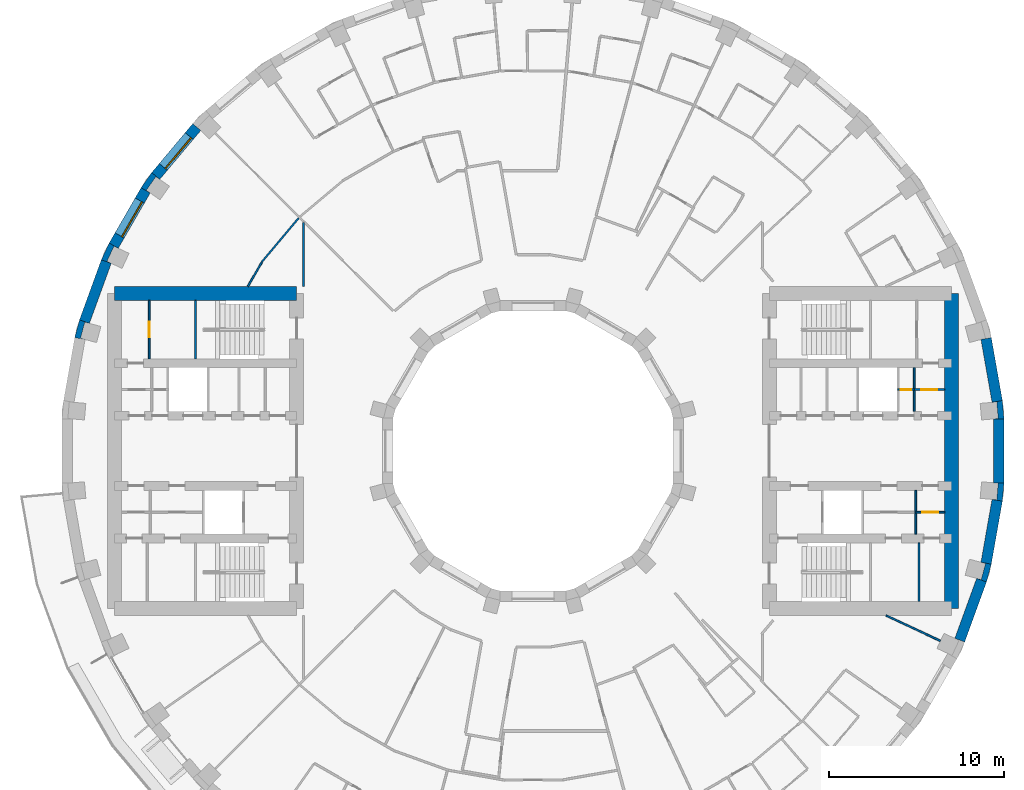
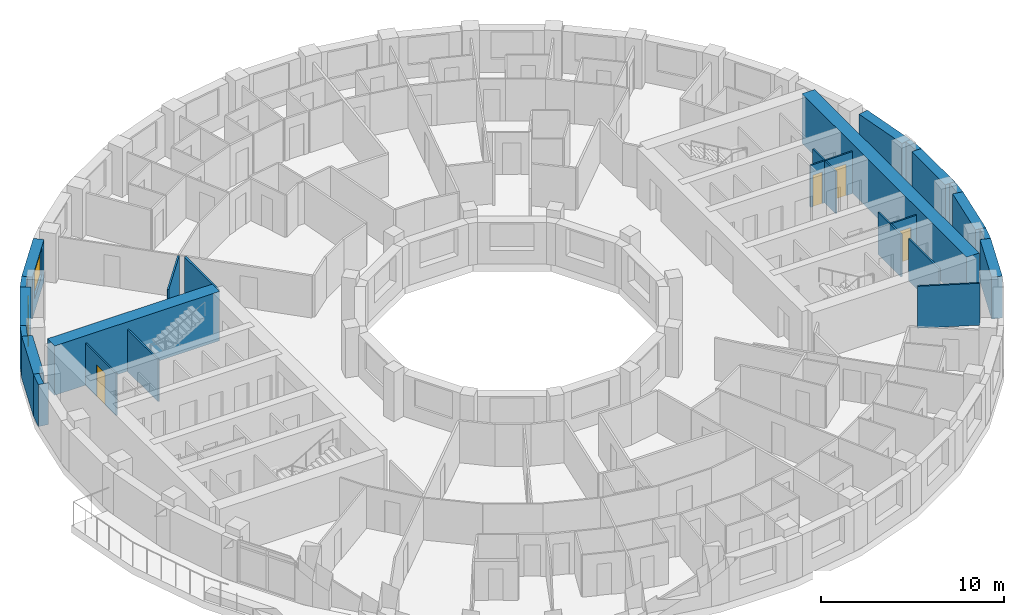
# One storey, part 10 of 16: 27 walls, 4 doors, 2 windows, 6 openings.
"""IFC4 building model written with IfcOpenShell, lengths in metres."""

from ifc_helpers import new_model, si_unit, direction, frame, frame_2d, origin, place, context, subcontext, project, spatial, polyline, rectangle, outline, extrude, material, layer, layer_set, type_object, element, fill, save


model = new_model("IFC4")

# Units and contexts
model_context = context("Model", 3, precision=1e-05, world=origin(), true_north=direction((0.0, 1.0)))
body_context = subcontext(model_context, "Body", "Model", "MODEL_VIEW")
ifc_project = project(units=[si_unit("LENGTHUNIT", "METRE"), si_unit("AREAUNIT", "SQUARE_METRE"), si_unit("VOLUMEUNIT", "CUBIC_METRE"), si_unit("PLANEANGLEUNIT", "RADIAN"), si_unit("MASSUNIT", "GRAM", prefix="KILO")], contexts=[model_context])

# Site, building, storey
site_placement = place(None, origin())
site = spatial("IfcSite", under=ifc_project, at=site_placement, CompositionType="ELEMENT")
building_placement = place(site_placement, origin())
building = spatial("IfcBuilding", under=site, at=building_placement, Name="Saqina Gate Tower", CompositionType="ELEMENT")
storey_placement = place(building_placement, frame((0.0, 0.0, 121.60009765625)))
storey = spatial("IfcBuildingStorey", under=building, at=storey_placement, Name="L34", CompositionType="ELEMENT", Elevation=121.60009765625)

# Walls
ifc_material_1 = material(Name="Brick masonry (buff)", Category="masonry")
wall_type_1 = type_object("IfcWallType", Name="BRICK PIER COPING BUFF", PredefinedType="SOLIDWALL", material=ifc_material_1)
wall_1_placement = place(storey_placement, origin())
element("IfcWall", 1, at=wall_1_placement, inside=storey, type_object=wall_type_1, Name="Pier cap L34 column 1", PredefinedType="SOLIDWALL", context=body_context, shape_type="SweptSolid", body=[
    extrude(outline(polyline([(26.805419921875, 2.87451171875), (26.214599609375, 2.770263671875), (26.482421875, 2.793701171875), (26.565185546875, 1.847412109375), (26.29736328125, 1.823974609375), (26.897216796875, 1.823974609375), (26.805419921875, 2.87451171875)])), origin(), (0.0, 0.0, 1.0), 2.7998046875),
])
wall_2_placement = place(storey_placement, origin())
element("IfcWall", 2, at=wall_2_placement, inside=storey, type_object=wall_type_1, Name="Pier cap L34 column 15", PredefinedType="SOLIDWALL", context=body_context, shape_type="SweptSolid", body=[
    extrude(outline(polyline([(-22.3818359375, 15.0283203125), (-21.862060546875, 14.728271484375), (-22.08251953125, 14.88232421875), (-21.53759765625, 15.66064453125), (-21.317138671875, 15.50634765625), (-21.77685546875, 15.89208984375), (-22.3818359375, 15.0283203125)])), origin(), (0.0, 0.0, 1.0), 2.7998046875),
])
wall_3_placement = place(storey_placement, origin())
element("IfcWall", 3, at=wall_3_placement, inside=storey, type_object=wall_type_1, Name="Pier cap L34 column 16", PredefinedType="SOLIDWALL", context=body_context, shape_type="SweptSolid", body=[
    extrude(outline(polyline([(-24.6513671875, 10.913330078125), (-24.08740234375, 10.7080078125), (-24.331298828125, 10.82177734375), (-23.9296875, 11.6826171875), (-23.68603515625, 11.569091796875), (-24.205810546875, 11.869140625), (-24.6513671875, 10.913330078125)])), origin(), (0.0, 0.0, 1.0), 2.7998046875),
])
wall_4_placement = place(storey_placement, origin())
element("IfcWall", 4, at=wall_4_placement, inside=storey, type_object=wall_type_1, Name="Pier cap L34 column 17", PredefinedType="SOLIDWALL", context=body_context, shape_type="SweptSolid", body=[
    extrude(outline(polyline([(-25.89892578125, 7.485595703125), (-26.171875, 6.466796875), (-25.5810546875, 6.36279296875), (-25.8408203125, 6.43212890625), (-25.5947265625, 7.349853515625), (-25.335205078125, 7.2802734375), (-25.89892578125, 7.485595703125)])), origin(), (0.0, 0.0, 1.0), 2.7998046875),
])
wall_5_placement = place(storey_placement, origin())
element("IfcWall", 5, at=wall_5_placement, inside=storey, type_object=wall_type_1, Name="Pier cap L34 column 35", PredefinedType="SOLIDWALL", context=body_context, shape_type="SweptSolid", body=[
    extrude(outline(polyline([(25.89892578125, -7.485595703125), (26.171875, -6.466796875), (25.5810546875, -6.36279296875), (25.8408203125, -6.43212890625), (25.5947265625, -7.349853515625), (25.335205078125, -7.2802734375), (25.89892578125, -7.485595703125)])), origin(), (0.0, 0.0, 1.0), 2.7998046875),
])
wall_6_placement = place(storey_placement, origin())
element("IfcWall", 6, at=wall_6_placement, inside=storey, type_object=wall_type_1, Name="Pier cap L34 column 36", PredefinedType="SOLIDWALL", context=body_context, shape_type="SweptSolid", body=[
    extrude(outline(polyline([(26.805419921875, -2.87451171875), (26.897216796875, -1.823974609375), (26.29736328125, -1.823974609375), (26.565185546875, -1.847412109375), (26.482421875, -2.793701171875), (26.214599609375, -2.770263671875), (26.805419921875, -2.87451171875)])), origin(), (0.0, 0.0, 1.0), 2.7998046875),
])
ifc_material_2 = material(Name="Gypsum board on steel studs", Category="steel")
ifc_layer_1 = layer(ifc_material_2, 0.10009765625)
ifc_layer_set_1 = layer_set([ifc_layer_1], Name="CORE PARTITION")
wall_type_2 = type_object("IfcWallType", Name="CORE PARTITION", PredefinedType="PARTITIONING", material=ifc_layer_set_1)
for number, where, z_axis, x_axis, name in (
    (7, (21.77099609375, 2.25, 0.0), (0.0, 0.0, 1.0), (0.0, 1.0, 0.0), "L34-CP-E05"),
    (8, (21.8583984375, -4.75, 0.0), (0.0, 0.0, 1.0), (0.0, 1.0, 0.0), "L34-CP-E08"),
):
    element("IfcWall", number, at=place(storey_placement, frame(where, z_axis=z_axis, x_axis=x_axis)), inside=storey, type_object=wall_type_2, Name=name, PredefinedType="PARTITIONING", context=body_context, shape_type="SweptSolid", body=[
        extrude(rectangle(XDim=2.5, YDim=0.10009765625, at=frame_2d((1.25, 0.0))), origin(), (0.0, 0.0, 1.0), 2.7998046875),
    ])

# Wall, opening, door
wall_7_placement = place(storey_placement, frame((20.840087890625, 3.5, 0.0), z_axis=(0.0, 0.0, 1.0), x_axis=(1.0, 0.0, 0.0)))
wall_7 = element("IfcWall", 9, at=wall_7_placement, inside=storey, type_object=wall_type_2, Name="L34-CP-E09", PredefinedType="PARTITIONING", context=body_context, shape_type="SweptSolid", body=[
    extrude(rectangle(XDim=0.930908203125, YDim=0.10009765625, at=frame_2d((0.46533203125, 0.0))), origin(), (0.0, 0.0, 1.0), 2.7998046875),
])
opening_1_placement = place(wall_7_placement, frame((0.14990234375, 0.0, 0.0)))
opening_1 = element("IfcOpeningElement", 10, at=opening_1_placement, cuts=wall_7, Name="Opening G10-D98", PredefinedType="OPENING", context=body_context, shape_type="SweptSolid", body=[
    extrude(rectangle(XDim=0.60009765625, YDim=2.10009765625, at=frame_2d((0.300048828125, 1.050048828125))), frame((0.0, 0.06201171875, 0.0), z_axis=(0.0, -1.0, 0.0), x_axis=(1.0, 0.0, 0.0)), (0.0, 0.0, 1.0), 0.1240234375),
])
ifc_material_3 = material(Name="Steel-framed fire door leaf, EI 60", Category="steel")
door_type_1 = type_object("IfcDoorType", Name="SERVICE ROOM DOOR 600", OperationType="SINGLE_SWING_LEFT", PredefinedType="DOOR", material=ifc_material_3)
door_1_placement = place(opening_1_placement, origin())
door_1 = element("IfcDoor", 11, at=door_1_placement, inside=storey, type_object=door_type_1, Name="L34-CD-E09", OperationType="SINGLE_SWING_LEFT", OverallHeight=2.10009765625, OverallWidth=0.60009765625, PredefinedType="DOOR", context=body_context, shape_type="SweptSolid", body=[
    extrude(rectangle(XDim=0.60009765625, YDim=2.10009765625, at=frame_2d((0.300048828125, 1.050048828125))), frame((0.0, 0.02490234375, 0.0), z_axis=(0.0, -1.0, 0.0), x_axis=(1.0, 0.0, 0.0)), (0.0, 0.0, 1.0), 0.050048828125),
])
fill(opening_1, door_1)

wall_8_placement = place(storey_placement, frame((21.77099609375, 3.5, 0.0), z_axis=(0.0, 0.0, 1.0), x_axis=(1.0, 0.0, 0.0)))
wall_8 = element("IfcWall", 12, at=wall_8_placement, inside=storey, type_object=wall_type_2, Name="L34-CP-E10", PredefinedType="PARTITIONING", context=body_context, shape_type="SweptSolid", body=[
    extrude(rectangle(XDim=1.72900390625, YDim=0.10009765625, at=frame_2d((0.864501953125, 0.0))), origin(), (0.0, 0.0, 1.0), 2.7998046875),
])
opening_2_placement = place(wall_8_placement, frame((0.41455078125, 0.0, 0.0)))
opening_2 = element("IfcOpeningElement", 13, at=opening_2_placement, cuts=wall_8, Name="Opening G10-D99", PredefinedType="OPENING", context=body_context, shape_type="SweptSolid", body=[
    extrude(rectangle(XDim=0.89990234375, YDim=2.10009765625, at=frame_2d((0.449951171875, 1.050048828125))), frame((0.0, 0.06201171875, 0.0), z_axis=(0.0, -1.0, 0.0), x_axis=(1.0, 0.0, 0.0)), (0.0, 0.0, 1.0), 0.1240234375),
])
ifc_material_4 = material(Name="Steel-framed fire door leaf, EI 60", Category="steel")
door_type_2 = type_object("IfcDoorType", Name="SERVICE ROOM DOOR 900", OperationType="SINGLE_SWING_LEFT", PredefinedType="DOOR", material=ifc_material_4)
door_2_placement = place(opening_2_placement, origin())
door_2 = element("IfcDoor", 14, at=door_2_placement, inside=storey, type_object=door_type_2, Name="L34-CD-E10", OperationType="SINGLE_SWING_RIGHT", OverallHeight=2.10009765625, OverallWidth=0.89990234375, PredefinedType="DOOR", context=body_context, shape_type="SweptSolid", body=[
    extrude(rectangle(XDim=0.89990234375, YDim=2.10009765625, at=frame_2d((0.449951171875, 1.050048828125))), frame((0.0, 0.02490234375, 0.0), z_axis=(0.0, -1.0, 0.0), x_axis=(1.0, 0.0, 0.0)), (0.0, 0.0, 1.0), 0.050048828125),
])
fill(opening_2, door_2)

wall_9_placement = place(storey_placement, frame((21.8583984375, -3.5, 0.0), z_axis=(0.0, 0.0, 1.0), x_axis=(1.0, 0.0, 0.0)))
wall_9 = element("IfcWall", 15, at=wall_9_placement, inside=storey, type_object=wall_type_2, Name="L34-CP-E12", PredefinedType="PARTITIONING", context=body_context, shape_type="SweptSolid", body=[
    extrude(rectangle(XDim=1.6416015625, YDim=0.10009765625, at=frame_2d((0.82080078125, 0.0))), origin(), (0.0, 0.0, 1.0), 2.7998046875),
])
opening_3_placement = place(wall_9_placement, frame((0.370849609375, 0.0, 0.0)))
opening_3 = element("IfcOpeningElement", 16, at=opening_3_placement, cuts=wall_9, Name="Opening G10-D102", PredefinedType="OPENING", context=body_context, shape_type="SweptSolid", body=[
    extrude(rectangle(XDim=0.89990234375, YDim=2.10009765625, at=frame_2d((0.449951171875, 1.050048828125))), frame((0.0, 0.06201171875, 0.0), z_axis=(0.0, -1.0, 0.0), x_axis=(1.0, 0.0, 0.0)), (0.0, 0.0, 1.0), 0.1240234375),
])
door_3_placement = place(opening_3_placement, frame((0.89990234375, 0.0, 0.0), z_axis=(0.0, 0.0, 1.0), x_axis=(-1.0, 0.0, 0.0)))
door_3 = element("IfcDoor", 17, at=door_3_placement, inside=storey, type_object=door_type_2, Name="L34-CD-E13", OperationType="SINGLE_SWING_LEFT", OverallHeight=2.10009765625, OverallWidth=0.89990234375, PredefinedType="DOOR", context=body_context, shape_type="SweptSolid", body=[
    extrude(rectangle(XDim=0.89990234375, YDim=2.10009765625, at=frame_2d((0.449951171875, 1.050048828125))), frame((0.0, 0.02490234375, 0.0), z_axis=(0.0, -1.0, 0.0), x_axis=(1.0, 0.0, 0.0)), (0.0, 0.0, 1.0), 0.050048828125),
])
fill(opening_3, door_3)

# Wall
wall_10_placement = place(storey_placement, frame((22.037109375, -8.60009765625, 0.0), z_axis=(0.0, 0.0, 1.0), x_axis=(0.0, 1.0, 0.0)))
element("IfcWall", 18, at=wall_10_placement, inside=storey, type_object=wall_type_2, Name="L34-CP-E16", PredefinedType="PARTITIONING", context=body_context, shape_type="SweptSolid", body=[
    extrude(rectangle(XDim=3.35009765625, YDim=0.10009765625, at=frame_2d((1.675048828125, 0.0))), origin(), (0.0, 0.0, 1.0), 2.7998046875),
])

# Wall, opening, door
wall_11_placement = place(storey_placement, frame((-21.91162109375, 5.25, 0.0), z_axis=(0.0, 0.0, 1.0), x_axis=(0.0, 1.0, 0.0)))
wall_11 = element("IfcWall", 19, at=wall_11_placement, inside=storey, type_object=wall_type_2, Name="L34-CP-W14", PredefinedType="PARTITIONING", context=body_context, shape_type="SweptSolid", body=[
    extrude(rectangle(XDim=3.35009765625, YDim=0.10009765625, at=frame_2d((1.675048828125, 0.0))), origin(), (0.0, 0.0, 1.0), 2.7998046875),
])
opening_4_placement = place(wall_11_placement, frame((1.22509765625, 0.0, 0.0)))
opening_4 = element("IfcOpeningElement", 20, at=opening_4_placement, cuts=wall_11, Name="Opening G10-D120", PredefinedType="OPENING", context=body_context, shape_type="SweptSolid", body=[
    extrude(rectangle(XDim=0.89990234375, YDim=2.10009765625, at=frame_2d((0.449951171875, 1.050048828125))), frame((0.0, 0.06201171875, 0.0), z_axis=(0.0, -1.0, 0.0), x_axis=(1.0, 0.0, 0.0)), (0.0, 0.0, 1.0), 0.1240234375),
])
door_4_placement = place(opening_4_placement, frame((0.89990234375, 0.0, 0.0), z_axis=(0.0, 0.0, 1.0), x_axis=(-1.0, 0.0, 0.0)))
door_4 = element("IfcDoor", 21, at=door_4_placement, inside=storey, type_object=door_type_2, Name="L34-CD-W31", OperationType="SINGLE_SWING_LEFT", OverallHeight=2.10009765625, OverallWidth=0.89990234375, PredefinedType="DOOR", context=body_context, shape_type="SweptSolid", body=[
    extrude(rectangle(XDim=0.89990234375, YDim=2.10009765625, at=frame_2d((0.449951171875, 1.050048828125))), frame((0.0, 0.02490234375, 0.0), z_axis=(0.0, -1.0, 0.0), x_axis=(1.0, 0.0, 0.0)), (0.0, 0.0, 1.0), 0.050048828125),
])
fill(opening_4, door_4)

# Wall, opening, window
ifc_material_5 = material(Name="Brick masonry (buff)", Category="masonry")
ifc_layer_2 = layer(ifc_material_5, 0.60009765625)
ifc_layer_set_2 = layer_set([ifc_layer_2], Name="FW-BRICK-BUFF")
wall_type_3 = type_object("IfcWallType", Name="FW-BRICK-BUFF", PredefinedType="SOLIDWALL", material=ifc_layer_set_2)
wall_12_placement = place(storey_placement, frame((-19.202392578125, 18.49365234375, 0.0), z_axis=(0.0, 0.0, 1.0), x_axis=(-0.642774476932, -0.766055462616, 0.0)))
wall_12 = element("IfcWall", 22, at=wall_12_placement, inside=storey, type_object=wall_type_3, Name="Facade wall L34 facet 14", PredefinedType="SOLIDWALL", context=body_context, shape_type="SweptSolid", body=[
    extrude(rectangle(XDim=3.647705078125, YDim=0.60009765625, at=frame_2d((1.82373046875, 0.0))), origin(), (0.0, 0.0, 1.0), 2.7998046875),
])
opening_5_placement = place(wall_12_placement, frame((0.673828125, 0.0, 0.89990234375)))
opening_5 = element("IfcOpeningElement", 23, at=opening_5_placement, cuts=wall_12, Name="Opening G10-W12", PredefinedType="OPENING", context=body_context, shape_type="SweptSolid", body=[
    extrude(rectangle(XDim=2.300048828125, YDim=1.800048828125, at=frame_2d((1.14990234375, 0.89990234375))), frame((0.0, 0.31201171875, 0.0), z_axis=(0.0, -1.0, 0.0), x_axis=(1.0, 0.0, 0.0)), (0.0, 0.0, 1.0), 0.6240234375),
])
ifc_material_6 = material(Name="Aluminium glazing", Category="aluminium")
window_type = type_object("IfcWindowType", Name="WN-B", PartitioningType="SINGLE_PANEL", PredefinedType="WINDOW", material=ifc_material_6)
window_1_placement = place(opening_5_placement, origin())
window_1 = element("IfcWindow", 24, at=window_1_placement, inside=storey, type_object=window_type, Name="Window L34 facet 14", OverallHeight=1.800048828125, OverallWidth=2.300048828125, PartitioningType="SINGLE_PANEL", PredefinedType="WINDOW", context=body_context, shape_type="SweptSolid", body=[
    extrude(rectangle(XDim=2.300048828125, YDim=1.800048828125, at=frame_2d((1.14990234375, 0.89990234375))), frame((0.0, 0.179931640625, 0.0), z_axis=(0.0, -1.0, 0.0), x_axis=(1.0, 0.0, 0.0)), (0.0, 0.0, 1.0), 0.06005859375),
])
fill(opening_5, window_1)

wall_13_placement = place(storey_placement, frame((-22.1220703125, 14.878173828125, 0.0), z_axis=(0.0, 0.0, 1.0), x_axis=(-0.499954196102, -0.866051847062, 0.0)))
wall_13 = element("IfcWall", 25, at=wall_13_placement, inside=storey, type_object=wall_type_3, Name="Facade wall L34 facet 15", PredefinedType="SOLIDWALL", context=body_context, shape_type="SweptSolid", body=[
    extrude(rectangle(XDim=3.647705078125, YDim=0.60009765625, at=frame_2d((1.82373046875, 0.0))), origin(), (0.0, 0.0, 1.0), 2.7998046875),
])
opening_6_placement = place(wall_13_placement, frame((0.673828125, 0.0, 0.89990234375)))
opening_6 = element("IfcOpeningElement", 26, at=opening_6_placement, cuts=wall_13, Name="Opening G10-W13", PredefinedType="OPENING", context=body_context, shape_type="SweptSolid", body=[
    extrude(rectangle(XDim=2.300048828125, YDim=1.800048828125, at=frame_2d((1.14990234375, 0.89990234375))), frame((0.0, 0.31201171875, 0.0), z_axis=(0.0, -1.0, 0.0), x_axis=(1.0, 0.0, 0.0)), (0.0, 0.0, 1.0), 0.6240234375),
])
window_2_placement = place(opening_6_placement, origin())
window_2 = element("IfcWindow", 27, at=window_2_placement, inside=storey, type_object=window_type, Name="Window L34 facet 15", OverallHeight=1.800048828125, OverallWidth=2.300048828125, PartitioningType="SINGLE_PANEL", PredefinedType="WINDOW", context=body_context, shape_type="SweptSolid", body=[
    extrude(rectangle(XDim=2.300048828125, YDim=1.800048828125, at=frame_2d((1.14990234375, 0.89990234375))), frame((0.0, 0.179931640625, 0.0), z_axis=(0.0, -1.0, 0.0), x_axis=(1.0, 0.0, 0.0)), (0.0, 0.0, 1.0), 0.06005859375),
])
fill(opening_6, window_2)

# Walls
ifc_material_7 = material(Name="Glazed ceramic tile", Category="ceramic")
ifc_layer_3 = layer(ifc_material_7, 0.60009765625)
ifc_layer_set_3 = layer_set([ifc_layer_3], Name="FW-TILE")
wall_type_4 = type_object("IfcWallType", Name="FW-TILE", PredefinedType="SOLIDWALL", material=ifc_layer_set_3)
for number, where, z_axis, x_axis, name in (
    (28, (26.510009765625, 2.822265625, 0.0), (0.0, 0.0, 1.0), (-0.173670796382, 0.984803764455, 0.0), "Facade wall L34 facet 1"),
    (29, (25.87646484375, -6.414794921875, 0.0), (0.0, 0.0, 1.0), (0.173670796382, 0.984803764455, 0.0), "Facade wall L34 facet 35"),
):
    element("IfcWall", number, at=place(storey_placement, frame(where, z_axis=z_axis, x_axis=x_axis)), inside=storey, type_object=wall_type_4, Name=name, PredefinedType="SOLIDWALL", context=body_context, shape_type="SweptSolid", body=[
        extrude(rectangle(XDim=3.64794921875, YDim=0.60009765625, at=frame_2d((1.823974609375, 0.0))), origin(), (0.0, 0.0, 1.0), 2.7998046875),
    ])
ifc_material_8 = material(Name="Glazed ceramic tile (dark blue)", Category="ceramic")
ifc_layer_4 = layer(ifc_material_8, 0.60009765625)
ifc_layer_set_4 = layer_set([ifc_layer_4], Name="FW-TILE-CB")
wall_type_5 = type_object("IfcWallType", Name="FW-TILE-CB", PredefinedType="SOLIDWALL", material=ifc_layer_set_4)
for number, where, z_axis, x_axis, name in (
    (30, (-24.369384765625, 10.810791015625, 0.0), (0.0, 0.0, 1.0), (-0.341990236633, -0.939703505393, 0.0), "Facade wall L34 facet 16"),
    (31, (26.59716796875, -1.823974609375, 0.0), (0.0, 0.0, 1.0), (0.0, 1.0, 0.0), "Facade wall L34 facet 36"),
):
    element("IfcWall", number, at=place(storey_placement, frame(where, z_axis=z_axis, x_axis=x_axis)), inside=storey, type_object=wall_type_5, Name=name, PredefinedType="SOLIDWALL", context=body_context, shape_type="SweptSolid", body=[
        extrude(rectangle(XDim=3.64794921875, YDim=0.60009765625, at=frame_2d((1.823974609375, 0.0))), origin(), (0.0, 0.0, 1.0), 2.7998046875),
    ])
ifc_material_9 = material(Name="Glazed ceramic tile (white)", Category="ceramic")
ifc_layer_5 = layer(ifc_material_9, 0.60009765625)
ifc_layer_set_5 = layer_set([ifc_layer_5], Name="FW-TILE-WH")
wall_type_6 = type_object("IfcWallType", Name="FW-TILE-WH", PredefinedType="SOLIDWALL", material=ifc_layer_set_5)
wall_14_placement = place(storey_placement, frame((24.369384765625, -10.810791015625, 0.0), z_axis=(0.0, 0.0, 1.0), x_axis=(0.341990236633, 0.939703505393, 0.0)))
element("IfcWall", 32, at=wall_14_placement, inside=storey, type_object=wall_type_6, Name="Facade wall L34 facet 34", PredefinedType="SOLIDWALL", context=body_context, shape_type="SweptSolid", body=[
    extrude(rectangle(XDim=3.64794921875, YDim=0.60009765625, at=frame_2d((1.823974609375, 0.0))), origin(), (0.0, 0.0, 1.0), 2.7998046875),
])
ifc_material_10 = material(Name="Gypsum board on steel studs, 100 mm", Category="steel")
ifc_layer_6 = layer(ifc_material_10, 0.10009765625)
ifc_layer_set_6 = layer_set([ifc_layer_6], Name="PARTITION 100")
wall_type_7 = type_object("IfcWallType", Name="PARTITION 100", PredefinedType="PARTITIONING", material=ifc_layer_set_6)
wall_15_placement = place(storey_placement, frame((20.159912109375, -9.39990234375, 0.0), z_axis=(0.0, 0.0, 1.0), x_axis=(0.906121146584, -0.423018282954, 0.0)))
element("IfcWall", 33, at=wall_15_placement, inside=storey, type_object=wall_type_7, Name="PARTITION PW3-39", PredefinedType="PARTITIONING", context=body_context, shape_type="SweptSolid", body=[
    extrude(rectangle(XDim=3.42138671875, YDim=0.10009765625, at=frame_2d((1.710693359375, 0.0))), origin(), (0.0, 0.0, 1.0), 2.7998046875),
])
wall_16_placement = place(storey_placement, frame((-15.49072265625, 10.78515625, 0.0), z_axis=(0.0, 0.0, 1.0), x_axis=(0.642706409745, 0.766112570627, 0.0)))
element("IfcWall", 34, at=wall_16_placement, inside=storey, type_object=wall_type_7, Name="PARTITION PW3-87", PredefinedType="PARTITIONING", context=body_context, shape_type="SweptSolid", body=[
    extrude(rectangle(XDim=3.2900390625, YDim=0.10009765625, at=frame_2d((1.64501953125, 0.0))), origin(), (0.0, 0.0, 1.0), 2.7998046875),
])
wall_17_placement = place(storey_placement, frame((-16.281005859375, 9.39794921875, 0.0), z_axis=(0.0, 0.0, 1.0), x_axis=(0.499872473806, 0.866099018549, 0.0)))
element("IfcWall", 35, at=wall_17_placement, inside=storey, type_object=wall_type_7, Name="PARTITION PW3-93", PredefinedType="PARTITIONING", context=body_context, shape_type="SweptSolid", body=[
    extrude(rectangle(XDim=1.5966796875, YDim=0.10009765625, at=frame_2d((0.79833984375, 0.0))), origin(), (0.0, 0.0, 1.0), 2.7998046875),
])
ifc_material_11 = material(Name="Gypsum board on steel studs, 125 mm, fire rated", Category="steel")
ifc_layer_7 = layer(ifc_material_11, 0.125)
ifc_layer_set_7 = layer_set([ifc_layer_7], Name="PARTITION EI 30 125")
wall_type_8 = type_object("IfcWallType", Name="PARTITION EI 30 125", PredefinedType="PARTITIONING", material=ifc_layer_set_7)
wall_18_placement = place(storey_placement, frame((-13.10009765625, 9.39990234375, 0.0), z_axis=(0.0, 0.0, 1.0), x_axis=(0.0, 1.0, 0.0)))
element("IfcWall", 36, at=wall_18_placement, inside=storey, type_object=wall_type_8, Name="PARTITION PW1-61", PredefinedType="PARTITIONING", context=body_context, shape_type="SweptSolid", body=[
    extrude(rectangle(XDim=3.6376953125, YDim=0.125, at=frame_2d((1.81884765625, 0.0))), origin(), (0.0, 0.0, 1.0), 2.7998046875),
])
ifc_material_12 = material(Name="Autoclaved aerated concrete block", Category="concrete")
ifc_layer_8 = layer(ifc_material_12, 0.10009765625)
ifc_layer_set_8 = layer_set([ifc_layer_8], Name="STAIR ENCLOSURE WALL")
wall_type_9 = type_object("IfcWallType", Name="STAIR ENCLOSURE WALL", PredefinedType="PARTITIONING", material=ifc_layer_set_8)
wall_19_placement = place(storey_placement, frame((-19.27001953125, 5.25, 0.0), z_axis=(0.0, 0.0, 1.0), x_axis=(0.0, 1.0, 0.0)))
element("IfcWall", 37, at=wall_19_placement, inside=storey, type_object=wall_type_9, Name="L34-CP-W13", PredefinedType="PARTITIONING", context=body_context, shape_type="SweptSolid", body=[
    extrude(rectangle(XDim=3.35009765625, YDim=0.10009765625, at=frame_2d((1.675048828125, 0.0))), origin(), (0.0, 0.0, 1.0), 2.7998046875),
])
ifc_material_13 = material(Name="Concrete C70/85", Category="concrete")
ifc_layer_9 = layer(ifc_material_13, 0.800048828125)
ifc_layer_set_9 = layer_set([ifc_layer_9], Name="Concrete C70/85")
wall_type_10 = type_object("IfcWallType", Name="STR-CORE WALL-B-O", PredefinedType="SHEAR", material=ifc_layer_set_9)
wall_20_placement = place(storey_placement, frame((23.89990234375, -9.0, 0.0), z_axis=(0.0, 0.0, 1.0), x_axis=(0.0, 1.0, 0.0)))
element("IfcWall", 38, at=wall_20_placement, inside=storey, type_object=wall_type_10, Name="CORE WALL L34 E-W2", PredefinedType="SHEAR", context=body_context, shape_type="SweptSolid", body=[
    extrude(rectangle(XDim=18.0, YDim=0.800048828125, at=frame_2d((9.0, 0.0))), origin(), (0.0, 0.0, 1.0), 3.2998046875),
])
wall_21_placement = place(storey_placement, frame((-13.5, 9.0, 0.0), z_axis=(0.0, 0.0, 1.0), x_axis=(-1.0, 0.0, 0.0)))
element("IfcWall", 39, at=wall_21_placement, inside=storey, type_object=wall_type_10, Name="CORE WALL L34 W-NE", PredefinedType="SHEAR", context=body_context, shape_type="SweptSolid", body=[
    extrude(rectangle(XDim=10.39990234375, YDim=0.800048828125, at=frame_2d((5.199951171875, 0.0))), origin(), (0.0, 0.0, 1.0), 3.2998046875),
])

save(model, "model.ifc")
